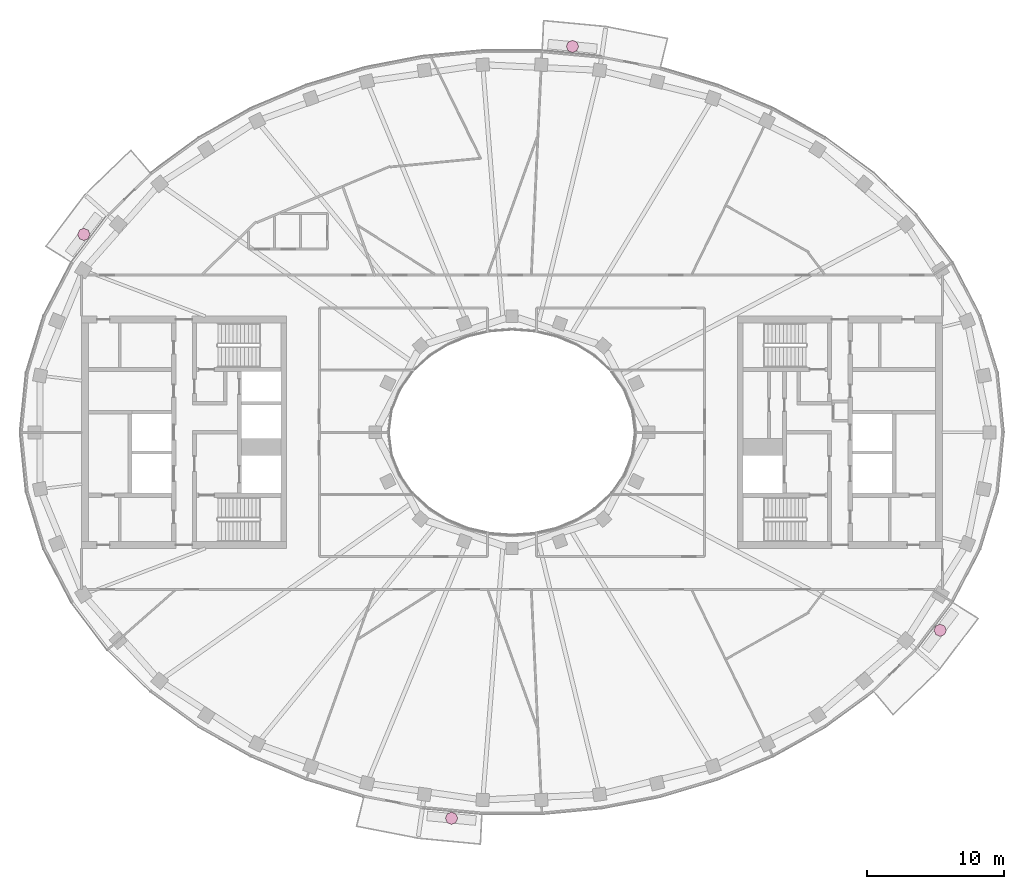
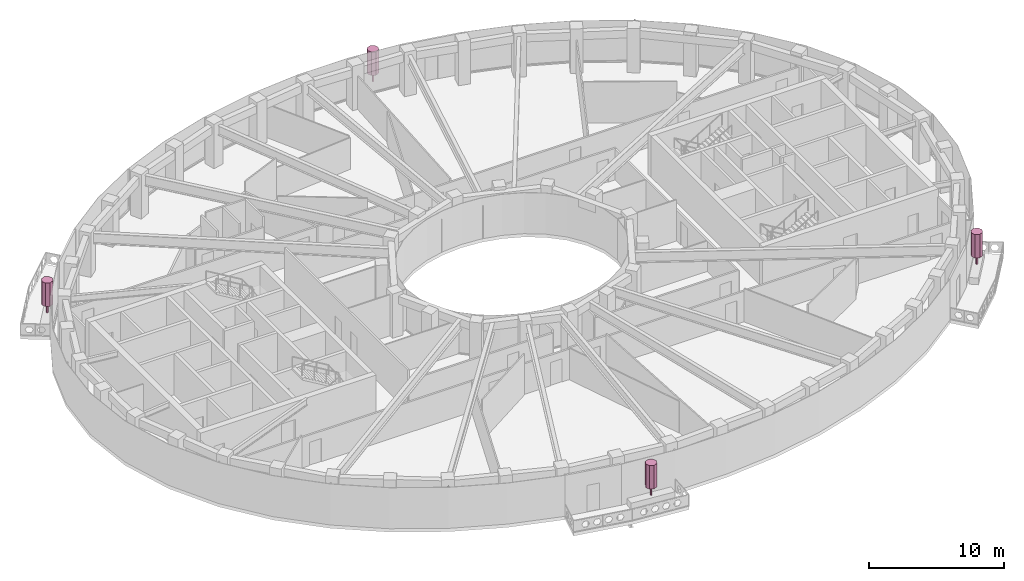
# One storey, part 16 of 16: 4 furnishings.
"""IFC4 building model written with IfcOpenShell, lengths in metres."""

import ifcopenshell
import ifcopenshell.guid

model = None  # the IFC model being written
_history = None  # IfcOwnerHistory: only IFC2X3 demands one
_inside = {}  # id of a spatial element -> (the spatial element, [elements in it])
_under = {}  # id of a project, library or spatial element -> (it, [spatial elements below it])
_declared = {}  # id of a project -> (the project, [libraries it declares])
_typed = {}  # id of a type object -> (the type object, [elements of that type])
_made_of = {}  # id of a material, layer set ... -> (it, [elements and type objects made of it])


def new_model(schema):
    """Start an empty IFC model of exactly this schema.

    Asked for "IFC4X3", IfcOpenShell would pick the latest addendum, in which some entities
    have other attributes; the version numbers below select the first issue.
    IFC2X3 requires an IfcOwnerHistory on every rooted entity: one is made here for all.
    """
    global model, _history
    if schema == "IFC4X3":
        model = ifcopenshell.file(schema_version=(4, 3, 0, 0))
    else:
        model = ifcopenshell.file(schema=schema)
    _inside.clear()
    _under.clear()
    _declared.clear()
    _typed.clear()
    _made_of.clear()
    _history = None
    if model.schema == "IFC2X3":
        org = make("IfcOrganization", Name="unknown")
        user = make(
            "IfcPersonAndOrganization",
            ThePerson=make("IfcPerson", FamilyName="unknown"),
            TheOrganization=org,
        )
        app = make(
            "IfcApplication",
            ApplicationDeveloper=org,
            Version="unknown",
            ApplicationFullName="unknown",
            ApplicationIdentifier="unknown",
        )
        _history = make(
            "IfcOwnerHistory",
            OwningUser=user,
            OwningApplication=app,
            ChangeAction="ADDED",
            CreationDate=0,
        )
    return model


def make(cls, **values):
    """One entity of the class cls with the attributes given. An attribute that is None is left unset."""
    return model.create_entity(
        cls, **{name: value for name, value in values.items() if value is not None}
    )


def rooted(cls, **values):
    """An entity with a GlobalId (a new one), such as an element, a storey or a relation."""
    return make(cls, GlobalId=ifcopenshell.guid.new(), OwnerHistory=_history, **values)


def si_unit(unit_type, name, prefix=None):
    """IfcSIUnit, for example si_unit("LENGTHUNIT", "METRE", prefix="MILLI")."""
    return make("IfcSIUnit", UnitType=unit_type, Prefix=prefix, Name=name)


def assignment(units):
    """IfcUnitAssignment: the units of a project."""
    return None if units is None else make("IfcUnitAssignment", Units=units)


def point(xyz):
    """IfcCartesianPoint."""
    return None if xyz is None else make("IfcCartesianPoint", Coordinates=xyz)


def direction(xyz):
    """IfcDirection."""
    return None if xyz is None else make("IfcDirection", DirectionRatios=xyz)


def frame(location, z_axis=None, x_axis=None):
    """IfcAxis2Placement3D, a coordinate frame: its origin and axes. An axis left out is left unset."""
    return make(
        "IfcAxis2Placement3D",
        Location=point(location),
        Axis=direction(z_axis),
        RefDirection=direction(x_axis),
    )


def frame_2d(location, x_axis=None):
    """IfcAxis2Placement2D, a coordinate frame in the plane: its origin and x axis."""
    return make(
        "IfcAxis2Placement2D", Location=point(location), RefDirection=direction(x_axis)
    )


def origin():
    """The frame at (0, 0, 0) with its axes left unset."""
    return frame((0.0, 0.0, 0.0))


def origin_2d():
    """The frame at (0, 0) in the plane with its x axis left unset."""
    return frame_2d((0.0, 0.0))


def place(relative_to, where):
    """IfcLocalPlacement: puts the frame where relative to a parent placement (None: the world)."""
    return make(
        "IfcLocalPlacement", PlacementRelTo=relative_to, RelativePlacement=where
    )


def context(
    kind, dimensions, precision=None, world=None, true_north=None, identifier=None
):
    """IfcGeometricRepresentationContext, for example the 3D "Model" context."""
    return make(
        "IfcGeometricRepresentationContext",
        ContextIdentifier=identifier,
        ContextType=kind,
        CoordinateSpaceDimension=dimensions,
        Precision=precision,
        WorldCoordinateSystem=world,
        TrueNorth=true_north,
    )


def subcontext(parent, identifier, kind, view, scale=None):
    """IfcGeometricRepresentationSubContext, for example "Body" below "Model"."""
    return make(
        "IfcGeometricRepresentationSubContext",
        ContextIdentifier=identifier,
        ContextType=kind,
        ParentContext=parent,
        TargetScale=scale,
        TargetView=view,
    )


def project(units=None, contexts=None):
    """IfcProject with its units and contexts."""
    return rooted(
        "IfcProject",
        Name="project",
        RepresentationContexts=contexts,
        UnitsInContext=assignment(units),
    )


def spatial(cls, under=None, at=None, **own):
    """A site, building, storey or space (cls), placed at a placement, below another one or the project."""
    s = rooted(cls, ObjectPlacement=at, **own)
    if under is not None:
        _under.setdefault(under.id(), (under, []))[1].append(s)
    return s


def polyline(points):
    """IfcPolyline through the points."""
    return make("IfcPolyline", Points=[point(p) for p in points])


def profile(cls, at=None, kind="AREA", **sizes):
    """A parametric profile (cls). Its sizes go by their IFC names, for example OverallWidth=200.0."""
    return make(cls, ProfileType=kind, Position=at, **sizes)


def rectangle(**sizes):
    """IfcRectangleProfileDef."""
    return profile("IfcRectangleProfileDef", **sizes)


def outline(outer, holes=None, kind="AREA"):
    """IfcArbitraryClosedProfileDef: a profile drawn as a closed curve; with holes, ...WithVoids."""
    if holes is None:
        return make("IfcArbitraryClosedProfileDef", ProfileType=kind, OuterCurve=outer)
    return make(
        "IfcArbitraryProfileDefWithVoids",
        ProfileType=kind,
        OuterCurve=outer,
        InnerCurves=holes,
    )


def extrude(swept, where, along, depth):
    """IfcExtrudedAreaSolid: the profile swept, set in the frame where, extruded along a direction by depth."""
    return make(
        "IfcExtrudedAreaSolid",
        SweptArea=swept,
        Position=where,
        ExtrudedDirection=direction(along),
        Depth=depth,
    )


def shape(context_of_items, identifier, shape_type, items):
    """IfcShapeRepresentation: the items that make up one representation, for example the "Body"."""
    return make(
        "IfcShapeRepresentation",
        ContextOfItems=context_of_items,
        RepresentationIdentifier=identifier,
        RepresentationType=shape_type,
        Items=items,
    )


def material(Name=None, Category=None):
    """IfcMaterial."""
    return make("IfcMaterial", Name=Name, Category=Category)


def made_of(thing, what):
    """Note that an element or type object is made of a material, layer set ...; save() writes the relation."""
    if what is not None:
        _made_of.setdefault(what.id(), (what, []))[1].append(thing)
    return thing


def type_object(cls, material=None, **own):
    """A type object (cls), such as IfcWallType, which elements share."""
    return made_of(rooted(cls, **own), material)


def element(
    cls,
    number,
    at=None,
    inside=None,
    cuts=None,
    type_object=None,
    material=None,
    context=None,
    identifier="Body",
    shape_type=None,
    held_by="IfcProductDefinitionShape",
    body=None,
    shapes=None,
    **own,
):
    """One element of the class cls, such as IfcWall. Its Tag is "e" and its number.

    at: its placement. inside: the storey or other place that contains it. cuts: it is an
    opening in that element (IfcRelVoidsElement). A single representation is given by context,
    identifier, shape_type and body (its items); several are given by shapes. held_by: the class
    of the entity that holds the representations. save() writes the other relations.
    """
    e = rooted(cls, Tag="e%d" % number, ObjectPlacement=at, **own)
    if body is not None:
        shapes = [shape(context, identifier, shape_type, body)]
    if shapes is not None:
        e.Representation = make(held_by, Representations=shapes)
    if inside is not None:
        _inside.setdefault(inside.id(), (inside, []))[1].append(e)
    if cuts is not None:
        rooted(
            "IfcRelVoidsElement", RelatingBuildingElement=cuts, RelatedOpeningElement=e
        )
    if type_object is not None:
        _typed.setdefault(type_object.id(), (type_object, []))[1].append(e)
    return made_of(e, material)


def aggregate(whole, parts):
    """IfcRelAggregates: a whole, such as a stair, and the parts it consists of."""
    return rooted("IfcRelAggregates", RelatingObject=whole, RelatedObjects=parts)


def save(model, path):
    """Write the relations noted so far, then the file.

    IfcRelAggregates (storeys below a building ...), IfcRelContainedInSpatialStructure (elements
    in a storey), IfcRelDefinesByType, IfcRelAssociatesMaterial and IfcRelDeclares: one each for
    every whole, place, type object, material and project.
    """
    for whole, parts in _under.values():
        aggregate(whole, parts)
    for where, things in _inside.values():
        rooted(
            "IfcRelContainedInSpatialStructure",
            RelatedElements=things,
            RelatingStructure=where,
        )
    for kind, things in _typed.values():
        rooted("IfcRelDefinesByType", RelatedObjects=things, RelatingType=kind)
    for what, things in _made_of.values():
        rooted("IfcRelAssociatesMaterial", RelatedObjects=things, RelatingMaterial=what)
    for by, libraries in _declared.values():
        rooted("IfcRelDeclares", RelatingContext=by, RelatedDefinitions=libraries)
    model.write(path)


model = new_model("IFC4")

# Units and contexts
model_context = context("Model", 3, precision=1e-05, world=origin(), true_north=direction((0.0, 1.0)))
body_context = subcontext(model_context, "Body", "Model", "MODEL_VIEW")
ifc_project = project(units=[si_unit("LENGTHUNIT", "METRE"), si_unit("AREAUNIT", "SQUARE_METRE"), si_unit("VOLUMEUNIT", "CUBIC_METRE"), si_unit("PLANEANGLEUNIT", "RADIAN"), si_unit("MASSUNIT", "GRAM", prefix="KILO")], contexts=[model_context])

# Site, building, storey
site_placement = place(None, origin())
site = spatial("IfcSite", under=ifc_project, at=site_placement, CompositionType="ELEMENT")
building_placement = place(site_placement, origin())
building = spatial("IfcBuilding", under=site, at=building_placement, Name="Noorbagh Ring Tower", CompositionType="ELEMENT")
storey_placement = place(building_placement, frame((0.0, 0.0, 303.0)))
storey = spatial("IfcBuildingStorey", under=building, at=storey_placement, Name="L65", CompositionType="ELEMENT", Elevation=303.0)

# Furnishings
ifc_material = material(Name="Planting foliage green")
furnishing_element_type = type_object("IfcFurnishingElementType", Name="ENV-TREE", material=ifc_material)
for number, where, z_axis, x_axis, name in (
    (1, (4.423828125, 28.2373046875, 0.60009765625), (0.0, 0.0, 1.0), (1.0, 0.0, 0.0), "Tree BN03"),
    (2, (-31.329833984375, 14.4833984375, 0.60009765625), (0.0, 0.0, 1.0), (1.0, 0.0, 0.0), "Tree BN06"),
    (3, (-4.423828125, -28.2373046875, 0.60009765625), (0.0, 0.0, 1.0), (1.0, 0.0, 0.0), "Tree BS03"),
    (4, (31.329833984375, -14.4833984375, 0.60009765625), (0.0, 0.0, 1.0), (1.0, 0.0, 0.0), "Tree BS06"),
):
    element("IfcFurnishingElement", number, at=place(storey_placement, frame(where, z_axis=z_axis, x_axis=x_axis)), inside=storey, type_object=furnishing_element_type, Name=name, context=body_context, shape_type="SweptSolid", body=[
        extrude(rectangle(XDim=0.1201171875, YDim=0.1201171875, at=origin_2d()), origin(), (0.0, 0.0, 1.0), 0.825927734375),
        extrude(outline(polyline([(0.449951171875, 0.0), (0.318115234375, 0.318115234375), (0.0, 0.449951171875), (-0.318115234375, 0.318115234375), (-0.449951171875, 0.0), (-0.318115234375, -0.318115234375), (0.0, -0.449951171875), (0.318115234375, -0.318115234375), (0.449951171875, 0.0)])), frame((0.0, 0.0, 0.825927734375)), (0.0, 0.0, 1.0), 2.1240234375),
    ])

save(model, "model.ifc")
